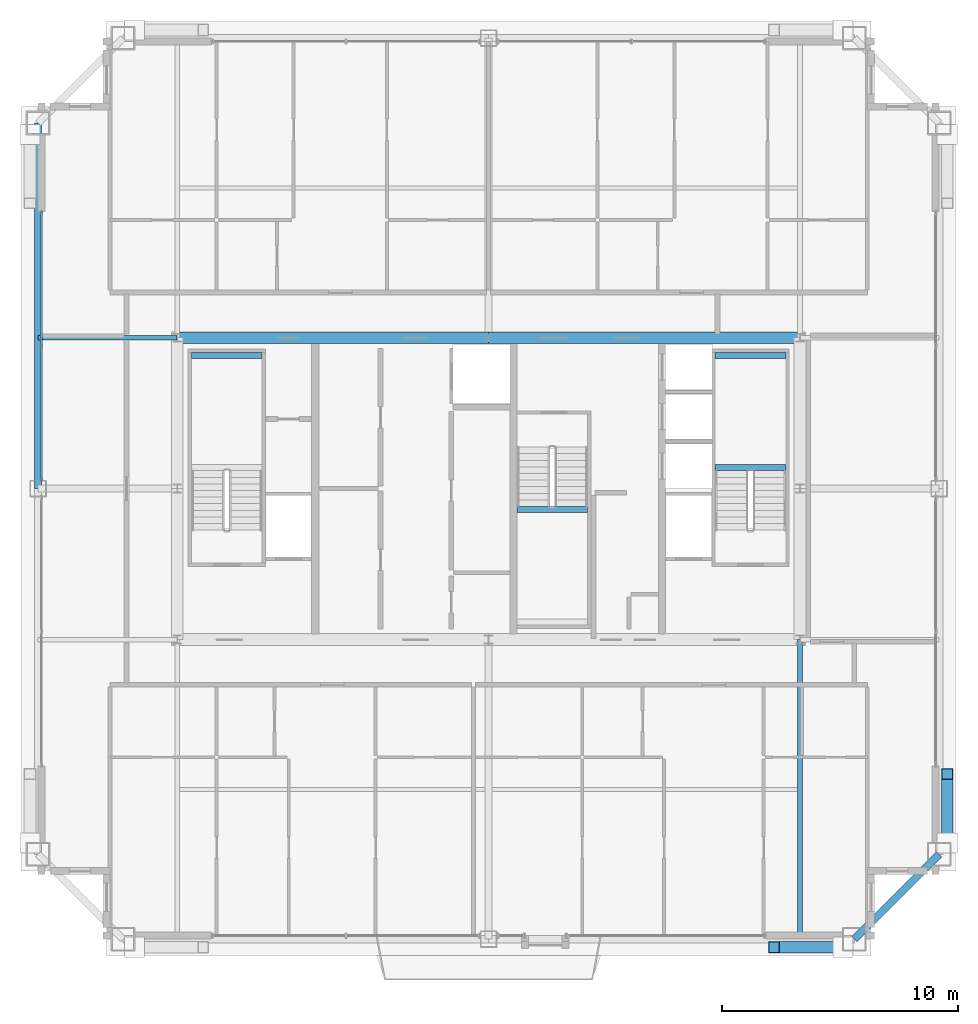
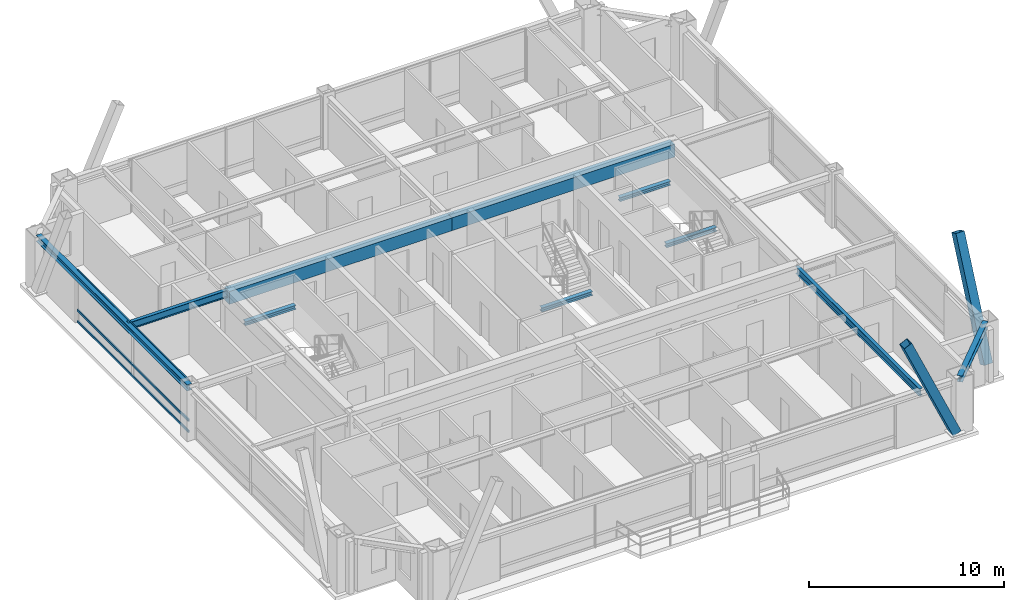
# One storey, part 12 of 35: 10 beams, 5 members, 1 element without a shape of its own.
"""IFC4 building model written with IfcOpenShell, lengths in metres."""

from ifc_helpers import new_model, si_unit, direction, frame, origin, origin_2d, place, context, subcontext, project, spatial, rectangle, hollow_rectangle, i_section, extrude, source, transform, mapped, material, layer, layer_set, material_profile, profile_set, type_object, element, aggregate, save


model = new_model("IFC4")

# Units and contexts
model_context = context("Model", 3, precision=1e-05, world=origin(), true_north=direction((0.0, 1.0)))
body_context = subcontext(model_context, "Body", "Model", "MODEL_VIEW")
ifc_project = project(units=[si_unit("LENGTHUNIT", "METRE"), si_unit("AREAUNIT", "SQUARE_METRE"), si_unit("VOLUMEUNIT", "CUBIC_METRE"), si_unit("PLANEANGLEUNIT", "RADIAN"), si_unit("MASSUNIT", "GRAM", prefix="KILO"), si_unit("THERMODYNAMICTEMPERATUREUNIT", "KELVIN"), si_unit("POWERUNIT", "WATT")], contexts=[model_context])

# Site, building, storey
site_placement = place(None, origin())
site = spatial("IfcSite", under=ifc_project, at=site_placement, CompositionType="ELEMENT")
building_placement = place(site_placement, origin())
building = spatial("IfcBuilding", under=site, at=building_placement, Name="Yuzanri Waterfront Tower", CompositionType="ELEMENT")
storey_placement = place(building_placement, frame((0.0, 0.0, 299.60009765625)))
storey = spatial("IfcBuildingStorey", under=building, at=storey_placement, Name="L80", CompositionType="ELEMENT", Elevation=299.60009765625)

# Beams
ifc_material_1 = material(Name="Concrete C50", Category="concrete")
ifc_material_profile_1 = material_profile(ifc_material_1, rectangle(XDim=0.5, YDim=0.800048828125, at=origin_2d()), Name="RC 500x800")
ifc_profile_set_1 = profile_set([ifc_material_profile_1], Name="Concrete C50")
beam_type_1 = type_object("IfcBeamType", Name="Core Coupling Lintel Concrete C50 500x800", PredefinedType="LINTEL", material=ifc_profile_set_1)
shared_shape_1 = source(origin(), body_context, "Body", "SweptSolid", [
    extrude(rectangle(XDim=0.5, YDim=0.800048828125, at=origin_2d()), origin(), (0.0, 0.0, 1.0), 13.199951171875),
])
for number, where, z_axis, x_axis, name in (
    (1, (23.800048828125, 32.199951171875, 2.8798828125), (1.0, 0.0, 0.0), (0.0, 1.0, 0.0), "L80 Core Tie Beam CN1"),
    (2, (37.0, 32.199951171875, 2.8798828125), (1.0, 0.0, 0.0), (0.0, 1.0, 0.0), "L80 Core Tie Beam CN2"),
):
    element("IfcBeam", number, at=place(storey_placement, frame(where, z_axis=z_axis, x_axis=x_axis)), inside=storey, type_object=beam_type_1, Name=name, PredefinedType="LINTEL", context=body_context, shape_type="MappedRepresentation", body=[
        mapped(shared_shape_1, transform((0.0, 0.0, 0.0), scale=1.0)),
    ])
ifc_material_2 = material(Name="Steel Q355B", Category="steel")
ifc_material_profile_2 = material_profile(ifc_material_2, i_section(OverallWidth=0.300048828125, OverallDepth=0.389892578125, WebThickness=0.010009765625, FlangeThickness=0.01611328125, at=origin_2d()), Name="HM 390x300x10x16")
ifc_profile_set_2 = profile_set([ifc_material_profile_2], Name="Steel Q355B")
beam_type_2 = type_object("IfcBeamType", Name="Perimeter Spandrel Q355B HM 390x300", PredefinedType="SPANDREL", material=ifc_profile_set_2)
shared_shape_2 = source(origin(), body_context, "Body", "SweptSolid", [
    extrude(i_section(OverallWidth=0.300048828125, OverallDepth=0.389892578125, WebThickness=0.010009765625, FlangeThickness=0.01611328125, at=origin_2d()), origin(), (0.0, 0.0, 1.0), 15.5),
])
beam_1_placement = place(storey_placement, frame((17.89990234375, 41.300048828125, 3.0849609375), z_axis=(0.0, -1.0, 0.0), x_axis=(1.0, 0.0, 0.0)))
element("IfcBeam", 3, at=beam_1_placement, inside=storey, type_object=beam_type_2, Name="L80 Perimeter Spandrel W3-W2", PredefinedType="SPANDREL", context=body_context, shape_type="MappedRepresentation", body=[
    mapped(shared_shape_2, transform((0.0, 0.0, 0.0), scale=1.0)),
])
shared_shape_3 = source(origin(), body_context, "Body", "SweptSolid", [
    extrude(i_section(OverallWidth=0.300048828125, OverallDepth=0.389892578125, WebThickness=0.010009765625, FlangeThickness=0.01611328125, at=origin_2d()), origin(), (0.0, 0.0, 1.0), 5.09130859375),
])
beam_2_placement = place(storey_placement, frame((52.5, 6.699951171875, 3.0849609375), z_axis=(0.707106781187, 0.707106781187, 0.0), x_axis=(-0.707106781187, 0.707106781187, 0.0)))
element("IfcBeam", 4, at=beam_2_placement, inside=storey, type_object=beam_type_2, Name="L80 Perimeter Spandrel S3-E1", PredefinedType="SPANDREL", context=body_context, shape_type="MappedRepresentation", body=[
    mapped(shared_shape_3, transform((0.0, 0.0, 0.0), scale=1.0)),
])
ifc_material_3 = material(Name="Steel Q355B", Category="steel")
ifc_material_profile_3 = material_profile(ifc_material_3, i_section(OverallWidth=0.199951171875, OverallDepth=0.449951171875, WebThickness=0.009033203125, FlangeThickness=0.013916015625, at=origin_2d()), Name="HN 450x200x9x14")
ifc_profile_set_3 = profile_set([ifc_material_profile_3], Name="Steel Q355B")
beam_type_3 = type_object("IfcBeamType", Name="Secondary Floor Beam Q355B HN 450x200", PredefinedType="BEAM", material=ifc_profile_set_3)
shared_shape_4 = source(origin(), body_context, "Body", "SweptSolid", [
    extrude(i_section(OverallWidth=0.199951171875, OverallDepth=0.449951171875, WebThickness=0.009033203125, FlangeThickness=0.013916015625, at=origin_2d()), origin(), (0.0, 0.0, 1.0), 12.699951171875),
])
beam_3_placement = place(storey_placement, frame((50.199951171875, 19.39990234375, 3.054931640625), z_axis=(0.0, -1.0, 0.0), x_axis=(1.0, 0.0, 0.0)))
element("IfcBeam", 5, at=beam_3_placement, inside=storey, type_object=beam_type_3, Name="L80 South-East Core Line Beam", PredefinedType="BEAM", context=body_context, shape_type="MappedRepresentation", body=[
    mapped(shared_shape_4, transform((0.0, 0.0, 0.0), scale=1.0)),
])
shared_shape_5 = source(origin(), body_context, "Body", "SweptSolid", [
    extrude(i_section(OverallWidth=0.199951171875, OverallDepth=0.449951171875, WebThickness=0.009033203125, FlangeThickness=0.013916015625, at=origin_2d()), origin(), (0.0, 0.0, 1.0), 5.900146484375),
])
beam_4_placement = place(storey_placement, frame((23.800048828125, 32.199951171875, 3.054931640625), z_axis=(-1.0, 0.0, 0.0), x_axis=(0.0, -1.0, 0.0)))
element("IfcBeam", 6, at=beam_4_placement, inside=storey, type_object=beam_type_3, Name="L80 West-North Core Line Beam", PredefinedType="BEAM", context=body_context, shape_type="MappedRepresentation", body=[
    mapped(shared_shape_5, transform((0.0, 0.0, 0.0), scale=1.0)),
])

# Members
ifc_material_4 = material(Name="Steel Q390GJC", Category="steel")
ifc_material_profile_4 = material_profile(ifc_material_4, hollow_rectangle(XDim=0.5, YDim=0.5, WallThickness=0.02197265625, at=origin_2d()), Name="RHS 500x500x22")
ifc_profile_set_4 = profile_set([ifc_material_profile_4], Name="Steel Q390GJC")
member_type_1 = type_object("IfcMemberType", Name="Mega Brace Upper Q390GJC RHS 500x500x22", PredefinedType="BRACE", material=ifc_profile_set_4)
shared_shape_6 = source(origin(), body_context, "Body", "SweptSolid", [
    extrude(hollow_rectangle(XDim=0.5, YDim=0.5, WallThickness=0.02197265625, at=origin_2d()), origin(), (0.0, 0.0, 1.0), 7.125732421875),
])
for number, where, z_axis, x_axis, name in (
    (7, (52.02001953125, 6.360107421875, 0.179931640625), (-0.409771952938, 0.0, 0.912187999584), (0.0, -1.0, 0.0), "L80-L81 Perimeter Mega-Brace S-R"),
    (8, (56.43994140625, 10.780029296875, 0.179931640625), (0.0, 0.409771952938, 0.912187999584), (-1.0, 0.0, 0.0), "L80-L81 Perimeter Mega-Brace E-L"),
):
    element("IfcMember", number, at=place(storey_placement, frame(where, z_axis=z_axis, x_axis=x_axis)), inside=storey, type_object=member_type_1, Name=name, PredefinedType="BRACE", context=body_context, shape_type="MappedRepresentation", body=[
        mapped(shared_shape_6, transform((0.0, 0.0, 0.0), scale=1.0)),
    ])

# Curtain wall, members
ifc_material_5 = material(Name="Anodized Architectural Bronze", Category="metal")
ifc_layer = layer(ifc_material_5, 0.159912109375)
ifc_layer_set = layer_set([ifc_layer], Name="Anodized Architectural Bronze")
curtain_wall_type = type_object("IfcCurtainWallType", Name="Anodized Bronze High-Rise Penthouse High-Wind Unitized Curtain Wall 6900", PredefinedType="NOTDEFINED", material=ifc_layer_set)
curtain_wall_placement = place(storey_placement, origin())
curtain_wall = element("IfcCurtainWall", 9, at=curtain_wall_placement, inside=storey, type_object=curtain_wall_type, Name="L80 Curtain Wall CW-L80-WR", PredefinedType="NOTDEFINED")
ifc_material_6 = material(Name="Anodized Architectural Bronze", Category="metal")
ifc_material_profile_5 = material_profile(ifc_material_6, hollow_rectangle(XDim=0.074951171875, YDim=0.14990234375, WallThickness=0.00390625, at=origin_2d()), Name="CWT 75x150")
ifc_profile_set_5 = profile_set([ifc_material_profile_5], Name="Anodized Architectural Bronze")
member_type_2 = type_object("IfcMemberType", Name="Anodized Bronze Primary Curtain-Wall Transom 75x150", PredefinedType="USERDEFINED", material=ifc_profile_set_5)
shared_shape_7 = source(origin(), body_context, "Body", "SweptSolid", [
    extrude(hollow_rectangle(XDim=0.074951171875, YDim=0.14990234375, WallThickness=0.00390625, at=origin_2d()), origin(), (0.0, 0.0, 1.0), 11.400146484375),
])
member_1_placement = place(storey_placement, frame((18.050048828125, 26.14990234375, 0.0498046875), z_axis=(0.0, 1.0, 0.0), x_axis=(-1.0, 0.0, 0.0)))
member_1 = element("IfcMember", 10, at=member_1_placement, type_object=member_type_2, Name="CW-L80-WR Transom 1", ObjectType="TRANSOM", PredefinedType="USERDEFINED", context=body_context, shape_type="MappedRepresentation", body=[
    mapped(shared_shape_7, transform((0.0, 0.0, 0.0), scale=1.0)),
])
member_2_placement = place(storey_placement, frame((18.050048828125, 26.14990234375, 0.75390625), z_axis=(0.0, 1.0, 0.0), x_axis=(-1.0, 0.0, 0.0)))
member_2 = element("IfcMember", 11, at=member_2_placement, type_object=member_type_2, Name="CW-L80-WR Transom 2", ObjectType="TRANSOM", PredefinedType="USERDEFINED", context=body_context, shape_type="MappedRepresentation", body=[
    mapped(shared_shape_7, transform((0.0, 0.0, 0.0), scale=1.0)),
])
member_3_placement = place(storey_placement, frame((18.050048828125, 26.14990234375, 3.22998046875), z_axis=(0.0, 1.0, 0.0), x_axis=(-1.0, 0.0, 0.0)))
member_3 = element("IfcMember", 12, at=member_3_placement, type_object=member_type_2, Name="CW-L80-WR Transom 3", ObjectType="TRANSOM", PredefinedType="USERDEFINED", context=body_context, shape_type="MappedRepresentation", body=[
    mapped(shared_shape_7, transform((0.0, 0.0, 0.0), scale=1.0)),
])
aggregate(curtain_wall, [member_1, member_2, member_3])

# Beams
ifc_material_7 = material(Name="Steel Q355B", Category="steel")
ifc_material_profile_6 = material_profile(ifc_material_7, i_section(OverallWidth=0.25, OverallDepth=0.25, WebThickness=0.009033203125, FlangeThickness=0.013916015625, at=origin_2d()), Name="HW 250x250x9x14")
ifc_profile_set_6 = profile_set([ifc_material_profile_6], Name="Steel Q355B")
beam_type_4 = type_object("IfcBeamType", Name="Stair Landing Support Beam Q355B HW 250x250", PredefinedType="BEAM", material=ifc_profile_set_6)
shared_shape_8 = source(origin(), body_context, "Body", "SweptSolid", [
    extrude(i_section(OverallWidth=0.25, OverallDepth=0.25, WebThickness=0.009033203125, FlangeThickness=0.013916015625, at=origin_2d()), origin(), (0.0, 0.0, 1.0), 3.0),
])
for number, where, z_axis, x_axis, name in (
    (13, (24.39990234375, 31.449951171875, 1.4248046875), (1.0, 0.0, 0.0), (0.0, 1.0, 0.0), "L80 Stair Landing Support Beam ST-01-L80-L1-2"),
    (14, (46.60009765625, 26.68994140625, 1.4248046875), (1.0, 0.0, 0.0), (0.0, 1.0, 0.0), "L80 Stair Landing Support Beam ST-02-L80-L1-1"),
    (15, (46.60009765625, 31.449951171875, 1.4248046875), (1.0, 0.0, 0.0), (0.0, 1.0, 0.0), "L80 Stair Landing Support Beam ST-02-L80-L1-2"),
    (16, (38.199951171875, 24.909912109375, 1.4248046875), (1.0, 0.0, 0.0), (0.0, 1.0, 0.0), "L80 Stair Landing Support Beam ST-03-L80-L1-2"),
):
    element("IfcBeam", number, at=place(storey_placement, frame(where, z_axis=z_axis, x_axis=x_axis)), inside=storey, type_object=beam_type_4, Name=name, PredefinedType="BEAM", context=body_context, shape_type="MappedRepresentation", body=[
        mapped(shared_shape_8, transform((0.0, 0.0, 0.0), scale=1.0)),
    ])

save(model, "model.ifc")
